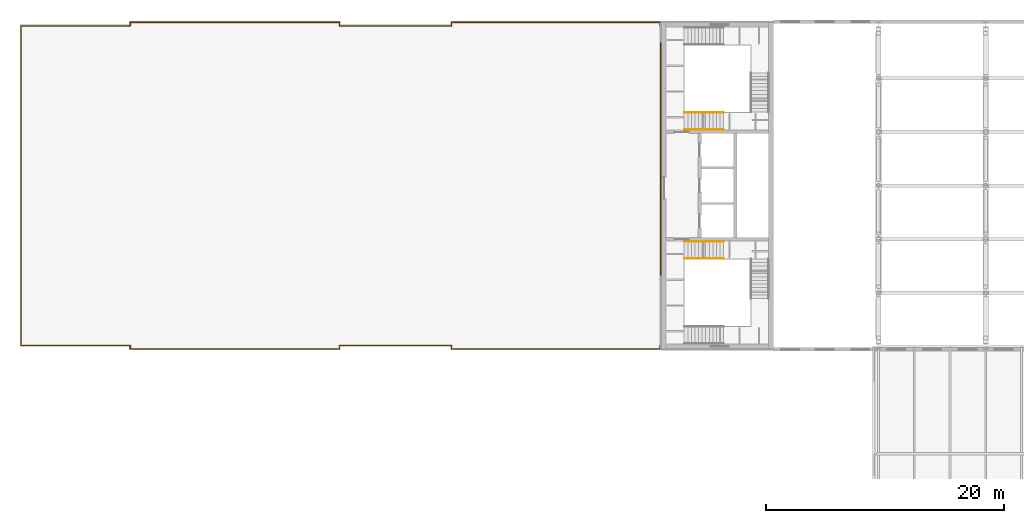
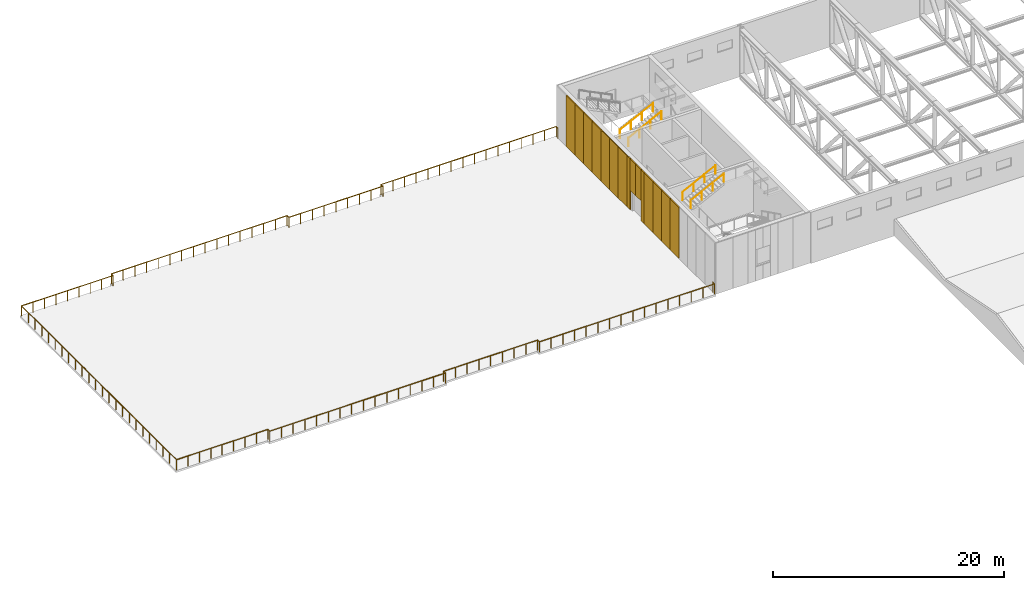
# One storey, part 26 of 29: 15 coverings, 5 railings.
"""IFC4 building model written with IfcOpenShell, lengths in metres."""

from ifc_helpers import new_model, si_unit, direction, frame, origin, origin_2d, place, context, subcontext, project, spatial, rectangle, circle, extrude, material, layer, layer_set, type_object, element, save


model = new_model("IFC4")

# Units and contexts
model_context = context("Model", 3, precision=1e-05, world=origin(), true_north=direction((0.0, 1.0)))
body_context = subcontext(model_context, "Body", "Model", "MODEL_VIEW")
ifc_project = project(units=[si_unit("LENGTHUNIT", "METRE"), si_unit("AREAUNIT", "SQUARE_METRE"), si_unit("VOLUMEUNIT", "CUBIC_METRE"), si_unit("PLANEANGLEUNIT", "RADIAN"), si_unit("MASSUNIT", "GRAM", prefix="KILO")], contexts=[model_context])

# Site, building, storey
site_placement = place(None, origin())
site = spatial("IfcSite", under=ifc_project, at=site_placement, CompositionType="ELEMENT")
building_placement = place(site_placement, origin())
building = spatial("IfcBuilding", under=site, at=building_placement, Name="Azimuth Sports and Learning Centre", CompositionType="ELEMENT")
storey_placement = place(building_placement, frame((0.0, 0.0, 27.0)))
storey = spatial("IfcBuildingStorey", under=building, at=storey_placement, Name="L05", CompositionType="ELEMENT", Elevation=27.0)

# Coverings
ifc_material_1 = material(Name="Cladding panel")
ifc_layer = layer(ifc_material_1, 0.10009765625)
ifc_layer_set = layer_set([ifc_layer], Name="Cladding panel")
covering_type = type_object("IfcCoveringType", Name="Cladding panel 100", PredefinedType="CLADDING", material=ifc_layer_set)
for number, where, z_axis, x_axis, name in (
    (1, (53.75, 114.75, 0.0), (0.0, 0.0, 1.0), (0.0, -1.0, 0.0), "Cladding panel W-CORE W L05 2"),
    (2, (53.75, 113.25, 0.0), (0.0, 0.0, 1.0), (0.0, -1.0, 0.0), "Cladding panel W-CORE W L05 3"),
    (3, (53.75, 111.75, 0.0), (0.0, 0.0, 1.0), (0.0, -1.0, 0.0), "Cladding panel W-CORE W L05 4"),
    (4, (53.75, 110.25, 0.0), (0.0, 0.0, 1.0), (0.0, -1.0, 0.0), "Cladding panel W-CORE W L05 5"),
    (5, (53.75, 108.75, 0.0), (0.0, 0.0, 1.0), (0.0, -1.0, 0.0), "Cladding panel W-CORE W L05 6"),
    (6, (53.75, 107.25, 0.0), (0.0, 0.0, 1.0), (0.0, -1.0, 0.0), "Cladding panel W-CORE W L05 7"),
    (7, (53.75, 105.75, 0.0), (0.0, 0.0, 1.0), (0.0, -1.0, 0.0), "Cladding panel W-CORE W L05 8"),
):
    element("IfcCovering", number, at=place(storey_placement, frame(where, z_axis=z_axis, x_axis=x_axis)), inside=storey, type_object=covering_type, Name=name, PredefinedType="CLADDING", context=body_context, shape_type="SweptSolid", body=[
        extrude(rectangle(XDim=1.5, YDim=0.10009765625, at=origin_2d()), origin(), (0.0, 0.0, 1.0), 5.39990234375),
    ])
covering_1_placement = place(storey_placement, frame((53.75, 103.97509765625, 2.10009765625), z_axis=(0.0, 0.0, 1.0), x_axis=(0.0, -1.0, 0.0)))
element("IfcCovering", 8, at=covering_1_placement, inside=storey, type_object=covering_type, Name="Cladding panel W-CORE W L05 9", PredefinedType="CLADDING", context=body_context, shape_type="SweptSolid", body=[
    extrude(rectangle(XDim=0.949951171875, YDim=0.10009765625, at=origin_2d()), origin(), (0.0, 0.0, 1.0), 3.300048828125),
])
covering_2_placement = place(storey_placement, frame((53.75, 104.72509765625, 0.0), z_axis=(0.0, 0.0, 1.0), x_axis=(0.0, -1.0, 0.0)))
element("IfcCovering", 9, at=covering_2_placement, inside=storey, type_object=covering_type, Name="Cladding panel W-CORE W L05 10", PredefinedType="CLADDING", context=body_context, shape_type="SweptSolid", body=[
    extrude(rectangle(XDim=0.550048828125, YDim=0.10009765625, at=origin_2d()), origin(), (0.0, 0.0, 1.0), 5.39990234375),
])
covering_3_placement = place(storey_placement, frame((53.75, 103.02490234375, 2.10009765625), z_axis=(0.0, 0.0, 1.0), x_axis=(0.0, -1.0, 0.0)))
element("IfcCovering", 10, at=covering_3_placement, inside=storey, type_object=covering_type, Name="Cladding panel W-CORE W L05 11", PredefinedType="CLADDING", context=body_context, shape_type="SweptSolid", body=[
    extrude(rectangle(XDim=0.949951171875, YDim=0.10009765625, at=origin_2d()), origin(), (0.0, 0.0, 1.0), 3.300048828125),
])
covering_4_placement = place(storey_placement, frame((53.75, 102.27490234375, 0.0), z_axis=(0.0, 0.0, 1.0), x_axis=(0.0, -1.0, 0.0)))
element("IfcCovering", 11, at=covering_4_placement, inside=storey, type_object=covering_type, Name="Cladding panel W-CORE W L05 12", PredefinedType="CLADDING", context=body_context, shape_type="SweptSolid", body=[
    extrude(rectangle(XDim=0.550048828125, YDim=0.10009765625, at=origin_2d()), origin(), (0.0, 0.0, 1.0), 5.39990234375),
])
for number, where, z_axis, x_axis, name in (
    (12, (53.75, 101.25, 0.0), (0.0, 0.0, 1.0), (0.0, -1.0, 0.0), "Cladding panel W-CORE W L05 13"),
    (13, (53.75, 99.75, 0.0), (0.0, 0.0, 1.0), (0.0, -1.0, 0.0), "Cladding panel W-CORE W L05 14"),
    (14, (53.75, 98.25, 0.0), (0.0, 0.0, 1.0), (0.0, -1.0, 0.0), "Cladding panel W-CORE W L05 15"),
    (15, (53.75, 96.75, 0.0), (0.0, 0.0, 1.0), (0.0, -1.0, 0.0), "Cladding panel W-CORE W L05 16"),
):
    element("IfcCovering", number, at=place(storey_placement, frame(where, z_axis=z_axis, x_axis=x_axis)), inside=storey, type_object=covering_type, Name=name, PredefinedType="CLADDING", context=body_context, shape_type="SweptSolid", body=[
        extrude(rectangle(XDim=1.5, YDim=0.10009765625, at=origin_2d()), origin(), (0.0, 0.0, 1.0), 5.39990234375),
    ])

# Railings
ifc_material_2 = material(Name="Stainless steel", Category="steel")
railing_type_1 = type_object("IfcRailingType", Name="Stair handrail 42", PredefinedType="HANDRAIL", material=ifc_material_2)
for number, where, name in (
    (16, (55.7099609375, 97.3701171875, 3.75), "Handrail W1 L05 flight 3 inner"),
    (17, (55.7099609375, 98.81005859375, 3.75), "Handrail W1 L05 flight 3 outer"),
    (18, (55.7099609375, 109.6298828125, 3.75), "Handrail W2 L05 flight 3 inner"),
    (19, (55.7099609375, 108.18994140625, 3.75), "Handrail W2 L05 flight 3 outer"),
):
    element("IfcRailing", number, at=place(storey_placement, frame(where)), inside=storey, type_object=railing_type_1, Name=name, PredefinedType="HANDRAIL", context=body_context, shape_type="SweptSolid", body=[
        extrude(circle(Radius=0.02099609375, at=origin_2d()), frame((0.0, 0.0, 0.87890625), z_axis=(0.894440424912, 0.0, 0.447187126696), x_axis=(0.0, 1.0, 0.0)), (0.0, 0.0, 1.0), 3.689453125),
        extrude(circle(Radius=0.01611328125, at=origin_2d()), origin(), (0.0, 0.0, 1.0), 0.85791015625),
        extrude(circle(Radius=0.01611328125, at=origin_2d()), frame((1.10009765625, 0.0, 0.550048828125)), (0.0, 0.0, 1.0), 0.85791015625),
        extrude(circle(Radius=0.01611328125, at=origin_2d()), frame((2.199951171875, 0.0, 1.099853515625)), (0.0, 0.0, 1.0), 0.85791015625),
        extrude(circle(Radius=0.01611328125, at=origin_2d()), frame((3.300048828125, 0.0, 1.64990234375)), (0.0, 0.0, 1.0), 0.85791015625),
    ])
ifc_material_3 = material(Name="Stainless steel", Category="steel")
railing_type_2 = type_object("IfcRailingType", Name="Terrace guard 1100", PredefinedType="GUARDRAIL", material=ifc_material_3)
railing_placement = place(storey_placement, frame((53.699951171875, 90.10009765625, 0.0)))
element("IfcRailing", 20, at=railing_placement, inside=storey, type_object=railing_type_2, Name="Terrace guard W", PredefinedType="GUARDRAIL", context=body_context, shape_type="SweptSolid", body=[
    extrude(circle(Radius=0.02490234375, at=origin_2d()), frame((0.0, 0.0, 1.0751953125), z_axis=(0.0, -1.0, 0.0), x_axis=(1.0, 0.0, 0.0)), (0.0, 0.0, 1.0), 0.300048828125),
    extrude(circle(Radius=0.02490234375, at=origin_2d()), frame((0.0, -0.300048828125, 1.0751953125), z_axis=(-1.0, 0.0, 0.0), x_axis=(0.0, -1.0, 0.0)), (0.0, 0.0, 1.0), 17.5),
    extrude(circle(Radius=0.02490234375, at=origin_2d()), frame((-17.5, -0.300048828125, 1.0751953125), z_axis=(0.0, 1.0, 0.0), x_axis=(-1.0, 0.0, 0.0)), (0.0, 0.0, 1.0), 0.300048828125),
    extrude(circle(Radius=0.02490234375, at=origin_2d()), frame((-17.5, 0.0, 1.0751953125), z_axis=(-1.0, 0.0, 0.0), x_axis=(0.0, -1.0, 0.0)), (0.0, 0.0, 1.0), 9.39990234375),
    extrude(circle(Radius=0.02490234375, at=origin_2d()), frame((-26.89990234375, 0.0, 1.0751953125), z_axis=(0.0, -1.0, 0.0), x_axis=(1.0, 0.0, 0.0)), (0.0, 0.0, 1.0), 0.300048828125),
    extrude(circle(Radius=0.02490234375, at=origin_2d()), frame((-26.89990234375, -0.300048828125, 1.0751953125), z_axis=(-1.0, 0.0, 0.0), x_axis=(0.0, -1.0, 0.0)), (0.0, 0.0, 1.0), 17.550048828125),
    extrude(circle(Radius=0.02490234375, at=origin_2d()), frame((-44.449951171875, -0.300048828125, 1.0751953125), z_axis=(0.0, 1.0, 0.0), x_axis=(-1.0, 0.0, 0.0)), (0.0, 0.0, 1.0), 0.300048828125),
    extrude(circle(Radius=0.02490234375, at=origin_2d()), frame((-44.449951171875, 0.0, 1.0751953125), z_axis=(-1.0, 0.0, 0.0), x_axis=(0.0, -1.0, 0.0)), (0.0, 0.0, 1.0), 9.14990234375),
    extrude(circle(Radius=0.02490234375, at=origin_2d()), frame((-53.599853515625, 0.0, 1.0751953125), z_axis=(0.0, 1.0, 0.0), x_axis=(-1.0, 0.0, 0.0)), (0.0, 0.0, 1.0), 26.7998046875),
    extrude(circle(Radius=0.02490234375, at=origin_2d()), frame((-53.599853515625, 26.7998046875, 1.0751953125), z_axis=(1.0, 0.0, 0.0), x_axis=(0.0, 1.0, 0.0)), (0.0, 0.0, 1.0), 9.14990234375),
    extrude(circle(Radius=0.02490234375, at=origin_2d()), frame((-44.449951171875, 26.7998046875, 1.0751953125), z_axis=(0.0, 1.0, 0.0), x_axis=(-1.0, 0.0, 0.0)), (0.0, 0.0, 1.0), 0.300048828125),
    extrude(circle(Radius=0.02490234375, at=origin_2d()), frame((-44.449951171875, 27.099853515625, 1.0751953125), z_axis=(1.0, 0.0, 0.0), x_axis=(0.0, 1.0, 0.0)), (0.0, 0.0, 1.0), 17.550048828125),
    extrude(circle(Radius=0.02490234375, at=origin_2d()), frame((-26.89990234375, 27.099853515625, 1.0751953125), z_axis=(0.0, -1.0, 0.0), x_axis=(1.0, 0.0, 0.0)), (0.0, 0.0, 1.0), 0.300048828125),
    extrude(circle(Radius=0.02490234375, at=origin_2d()), frame((-26.89990234375, 26.7998046875, 1.0751953125), z_axis=(1.0, 0.0, 0.0), x_axis=(0.0, 1.0, 0.0)), (0.0, 0.0, 1.0), 9.39990234375),
    extrude(circle(Radius=0.02490234375, at=origin_2d()), frame((-17.5, 26.7998046875, 1.0751953125), z_axis=(0.0, 1.0, 0.0), x_axis=(-1.0, 0.0, 0.0)), (0.0, 0.0, 1.0), 0.300048828125),
    extrude(circle(Radius=0.02490234375, at=origin_2d()), frame((-17.5, 27.099853515625, 1.0751953125), z_axis=(1.0, 0.0, 0.0), x_axis=(0.0, 1.0, 0.0)), (0.0, 0.0, 1.0), 17.5),
    extrude(circle(Radius=0.02490234375, at=origin_2d()), frame((0.0, 27.099853515625, 1.0751953125), z_axis=(0.0, -1.0, 0.0), x_axis=(1.0, 0.0, 0.0)), (0.0, 0.0, 1.0), 0.300048828125),
    extrude(circle(Radius=0.02001953125, at=origin_2d()), origin(), (0.0, 0.0, 1.0), 1.050048828125),
    extrude(circle(Radius=0.02001953125, at=origin_2d()), frame((0.0, -0.300048828125, 0.0)), (0.0, 0.0, 1.0), 1.050048828125),
    extrude(circle(Radius=0.02001953125, at=origin_2d()), frame((-1.166748046875, -0.300048828125, 0.0)), (0.0, 0.0, 1.0), 1.050048828125),
    extrude(circle(Radius=0.02001953125, at=origin_2d()), frame((-2.333251953125, -0.300048828125, 0.0)), (0.0, 0.0, 1.0), 1.050048828125),
    extrude(circle(Radius=0.02001953125, at=origin_2d()), frame((-3.5, -0.300048828125, 0.0)), (0.0, 0.0, 1.0), 1.050048828125),
    extrude(circle(Radius=0.02001953125, at=origin_2d()), frame((-4.666748046875, -0.300048828125, 0.0)), (0.0, 0.0, 1.0), 1.050048828125),
    extrude(circle(Radius=0.02001953125, at=origin_2d()), frame((-5.833251953125, -0.300048828125, 0.0)), (0.0, 0.0, 1.0), 1.050048828125),
    extrude(circle(Radius=0.02001953125, at=origin_2d()), frame((-7.0, -0.300048828125, 0.0)), (0.0, 0.0, 1.0), 1.050048828125),
    extrude(circle(Radius=0.02001953125, at=origin_2d()), frame((-8.166748046875, -0.300048828125, 0.0)), (0.0, 0.0, 1.0), 1.050048828125),
    extrude(circle(Radius=0.02001953125, at=origin_2d()), frame((-9.333251953125, -0.300048828125, 0.0)), (0.0, 0.0, 1.0), 1.050048828125),
    extrude(circle(Radius=0.02001953125, at=origin_2d()), frame((-10.5, -0.300048828125, 0.0)), (0.0, 0.0, 1.0), 1.050048828125),
    extrude(circle(Radius=0.02001953125, at=origin_2d()), frame((-11.666748046875, -0.300048828125, 0.0)), (0.0, 0.0, 1.0), 1.050048828125),
    extrude(circle(Radius=0.02001953125, at=origin_2d()), frame((-12.833251953125, -0.300048828125, 0.0)), (0.0, 0.0, 1.0), 1.050048828125),
    extrude(circle(Radius=0.02001953125, at=origin_2d()), frame((-14.0, -0.300048828125, 0.0)), (0.0, 0.0, 1.0), 1.050048828125),
    extrude(circle(Radius=0.02001953125, at=origin_2d()), frame((-15.166748046875, -0.300048828125, 0.0)), (0.0, 0.0, 1.0), 1.050048828125),
    extrude(circle(Radius=0.02001953125, at=origin_2d()), frame((-16.333251953125, -0.300048828125, 0.0)), (0.0, 0.0, 1.0), 1.050048828125),
    extrude(circle(Radius=0.02001953125, at=origin_2d()), frame((-17.5, -0.300048828125, 0.0)), (0.0, 0.0, 1.0), 1.050048828125),
    extrude(circle(Radius=0.02001953125, at=origin_2d()), frame((-17.5, 0.0, 0.0)), (0.0, 0.0, 1.0), 1.050048828125),
    extrude(circle(Radius=0.02001953125, at=origin_2d()), frame((-18.675048828125, 0.0, 0.0)), (0.0, 0.0, 1.0), 1.050048828125),
    extrude(circle(Radius=0.02001953125, at=origin_2d()), frame((-19.85009765625, 0.0, 0.0)), (0.0, 0.0, 1.0), 1.050048828125),
    extrude(circle(Radius=0.02001953125, at=origin_2d()), frame((-21.02490234375, 0.0, 0.0)), (0.0, 0.0, 1.0), 1.050048828125),
    extrude(circle(Radius=0.02001953125, at=origin_2d()), frame((-22.199951171875, 0.0, 0.0)), (0.0, 0.0, 1.0), 1.050048828125),
    extrude(circle(Radius=0.02001953125, at=origin_2d()), frame((-23.375, 0.0, 0.0)), (0.0, 0.0, 1.0), 1.050048828125),
    extrude(circle(Radius=0.02001953125, at=origin_2d()), frame((-24.5498046875, 0.0, 0.0)), (0.0, 0.0, 1.0), 1.050048828125),
    extrude(circle(Radius=0.02001953125, at=origin_2d()), frame((-25.724853515625, 0.0, 0.0)), (0.0, 0.0, 1.0), 1.050048828125),
    extrude(circle(Radius=0.02001953125, at=origin_2d()), frame((-26.89990234375, 0.0, 0.0)), (0.0, 0.0, 1.0), 1.050048828125),
    extrude(circle(Radius=0.02001953125, at=origin_2d()), frame((-26.89990234375, -0.300048828125, 0.0)), (0.0, 0.0, 1.0), 1.050048828125),
    extrude(circle(Radius=0.02001953125, at=origin_2d()), frame((-28.06982421875, -0.300048828125, 0.0)), (0.0, 0.0, 1.0), 1.050048828125),
    extrude(circle(Radius=0.02001953125, at=origin_2d()), frame((-29.239990234375, -0.300048828125, 0.0)), (0.0, 0.0, 1.0), 1.050048828125),
    extrude(circle(Radius=0.02001953125, at=origin_2d()), frame((-30.409912109375, -0.300048828125, 0.0)), (0.0, 0.0, 1.0), 1.050048828125),
    extrude(circle(Radius=0.02001953125, at=origin_2d()), frame((-31.579833984375, -0.300048828125, 0.0)), (0.0, 0.0, 1.0), 1.050048828125),
    extrude(circle(Radius=0.02001953125, at=origin_2d()), frame((-32.75, -0.300048828125, 0.0)), (0.0, 0.0, 1.0), 1.050048828125),
    extrude(circle(Radius=0.02001953125, at=origin_2d()), frame((-33.919921875, -0.300048828125, 0.0)), (0.0, 0.0, 1.0), 1.050048828125),
    extrude(circle(Radius=0.02001953125, at=origin_2d()), frame((-35.08984375, -0.300048828125, 0.0)), (0.0, 0.0, 1.0), 1.050048828125),
    extrude(circle(Radius=0.02001953125, at=origin_2d()), frame((-36.260009765625, -0.300048828125, 0.0)), (0.0, 0.0, 1.0), 1.050048828125),
    extrude(circle(Radius=0.02001953125, at=origin_2d()), frame((-37.429931640625, -0.300048828125, 0.0)), (0.0, 0.0, 1.0), 1.050048828125),
    extrude(circle(Radius=0.02001953125, at=origin_2d()), frame((-38.599853515625, -0.300048828125, 0.0)), (0.0, 0.0, 1.0), 1.050048828125),
    extrude(circle(Radius=0.02001953125, at=origin_2d()), frame((-39.77001953125, -0.300048828125, 0.0)), (0.0, 0.0, 1.0), 1.050048828125),
    extrude(circle(Radius=0.02001953125, at=origin_2d()), frame((-40.93994140625, -0.300048828125, 0.0)), (0.0, 0.0, 1.0), 1.050048828125),
    extrude(circle(Radius=0.02001953125, at=origin_2d()), frame((-42.10986328125, -0.300048828125, 0.0)), (0.0, 0.0, 1.0), 1.050048828125),
    extrude(circle(Radius=0.02001953125, at=origin_2d()), frame((-43.280029296875, -0.300048828125, 0.0)), (0.0, 0.0, 1.0), 1.050048828125),
    extrude(circle(Radius=0.02001953125, at=origin_2d()), frame((-44.449951171875, -0.300048828125, 0.0)), (0.0, 0.0, 1.0), 1.050048828125),
    extrude(circle(Radius=0.02001953125, at=origin_2d()), frame((-44.449951171875, 0.0, 0.0)), (0.0, 0.0, 1.0), 1.050048828125),
    extrude(circle(Radius=0.02001953125, at=origin_2d()), frame((-45.59375, 0.0, 0.0)), (0.0, 0.0, 1.0), 1.050048828125),
    extrude(circle(Radius=0.02001953125, at=origin_2d()), frame((-46.7373046875, 0.0, 0.0)), (0.0, 0.0, 1.0), 1.050048828125),
    extrude(circle(Radius=0.02001953125, at=origin_2d()), frame((-47.881103515625, 0.0, 0.0)), (0.0, 0.0, 1.0), 1.050048828125),
    extrude(circle(Radius=0.02001953125, at=origin_2d()), frame((-49.02490234375, 0.0, 0.0)), (0.0, 0.0, 1.0), 1.050048828125),
    extrude(circle(Radius=0.02001953125, at=origin_2d()), frame((-50.168701171875, 0.0, 0.0)), (0.0, 0.0, 1.0), 1.050048828125),
    extrude(circle(Radius=0.02001953125, at=origin_2d()), frame((-51.3125, 0.0, 0.0)), (0.0, 0.0, 1.0), 1.050048828125),
    extrude(circle(Radius=0.02001953125, at=origin_2d()), frame((-52.4560546875, 0.0, 0.0)), (0.0, 0.0, 1.0), 1.050048828125),
    extrude(circle(Radius=0.02001953125, at=origin_2d()), frame((-53.599853515625, 0.0, 0.0)), (0.0, 0.0, 1.0), 1.050048828125),
    extrude(circle(Radius=0.02001953125, at=origin_2d()), frame((-53.599853515625, 1.165283203125, 0.0)), (0.0, 0.0, 1.0), 1.050048828125),
    extrude(circle(Radius=0.02001953125, at=origin_2d()), frame((-53.599853515625, 2.330322265625, 0.0)), (0.0, 0.0, 1.0), 1.050048828125),
    extrude(circle(Radius=0.02001953125, at=origin_2d()), frame((-53.599853515625, 3.49560546875, 0.0)), (0.0, 0.0, 1.0), 1.050048828125),
    extrude(circle(Radius=0.02001953125, at=origin_2d()), frame((-53.599853515625, 4.660888671875, 0.0)), (0.0, 0.0, 1.0), 1.050048828125),
    extrude(circle(Radius=0.02001953125, at=origin_2d()), frame((-53.599853515625, 5.825927734375, 0.0)), (0.0, 0.0, 1.0), 1.050048828125),
    extrude(circle(Radius=0.02001953125, at=origin_2d()), frame((-53.599853515625, 6.9912109375, 0.0)), (0.0, 0.0, 1.0), 1.050048828125),
    extrude(circle(Radius=0.02001953125, at=origin_2d()), frame((-53.599853515625, 8.156494140625, 0.0)), (0.0, 0.0, 1.0), 1.050048828125),
    extrude(circle(Radius=0.02001953125, at=origin_2d()), frame((-53.599853515625, 9.32177734375, 0.0)), (0.0, 0.0, 1.0), 1.050048828125),
    extrude(circle(Radius=0.02001953125, at=origin_2d()), frame((-53.599853515625, 10.48681640625, 0.0)), (0.0, 0.0, 1.0), 1.050048828125),
    extrude(circle(Radius=0.02001953125, at=origin_2d()), frame((-53.599853515625, 11.652099609375, 0.0)), (0.0, 0.0, 1.0), 1.050048828125),
    extrude(circle(Radius=0.02001953125, at=origin_2d()), frame((-53.599853515625, 12.8173828125, 0.0)), (0.0, 0.0, 1.0), 1.050048828125),
    extrude(circle(Radius=0.02001953125, at=origin_2d()), frame((-53.599853515625, 13.982421875, 0.0)), (0.0, 0.0, 1.0), 1.050048828125),
    extrude(circle(Radius=0.02001953125, at=origin_2d()), frame((-53.599853515625, 15.147705078125, 0.0)), (0.0, 0.0, 1.0), 1.050048828125),
    extrude(circle(Radius=0.02001953125, at=origin_2d()), frame((-53.599853515625, 16.31298828125, 0.0)), (0.0, 0.0, 1.0), 1.050048828125),
    extrude(circle(Radius=0.02001953125, at=origin_2d()), frame((-53.599853515625, 17.47802734375, 0.0)), (0.0, 0.0, 1.0), 1.050048828125),
    extrude(circle(Radius=0.02001953125, at=origin_2d()), frame((-53.599853515625, 18.643310546875, 0.0)), (0.0, 0.0, 1.0), 1.050048828125),
    extrude(circle(Radius=0.02001953125, at=origin_2d()), frame((-53.599853515625, 19.80859375, 0.0)), (0.0, 0.0, 1.0), 1.050048828125),
    extrude(circle(Radius=0.02001953125, at=origin_2d()), frame((-53.599853515625, 20.973876953125, 0.0)), (0.0, 0.0, 1.0), 1.050048828125),
    extrude(circle(Radius=0.02001953125, at=origin_2d()), frame((-53.599853515625, 22.138916015625, 0.0)), (0.0, 0.0, 1.0), 1.050048828125),
    extrude(circle(Radius=0.02001953125, at=origin_2d()), frame((-53.599853515625, 23.30419921875, 0.0)), (0.0, 0.0, 1.0), 1.050048828125),
    extrude(circle(Radius=0.02001953125, at=origin_2d()), frame((-53.599853515625, 24.469482421875, 0.0)), (0.0, 0.0, 1.0), 1.050048828125),
    extrude(circle(Radius=0.02001953125, at=origin_2d()), frame((-53.599853515625, 25.634521484375, 0.0)), (0.0, 0.0, 1.0), 1.050048828125),
    extrude(circle(Radius=0.02001953125, at=origin_2d()), frame((-53.599853515625, 26.7998046875, 0.0)), (0.0, 0.0, 1.0), 1.050048828125),
    extrude(circle(Radius=0.02001953125, at=origin_2d()), frame((-52.4560546875, 26.7998046875, 0.0)), (0.0, 0.0, 1.0), 1.050048828125),
    extrude(circle(Radius=0.02001953125, at=origin_2d()), frame((-51.3125, 26.7998046875, 0.0)), (0.0, 0.0, 1.0), 1.050048828125),
    extrude(circle(Radius=0.02001953125, at=origin_2d()), frame((-50.168701171875, 26.7998046875, 0.0)), (0.0, 0.0, 1.0), 1.050048828125),
    extrude(circle(Radius=0.02001953125, at=origin_2d()), frame((-49.02490234375, 26.7998046875, 0.0)), (0.0, 0.0, 1.0), 1.050048828125),
    extrude(circle(Radius=0.02001953125, at=origin_2d()), frame((-47.881103515625, 26.7998046875, 0.0)), (0.0, 0.0, 1.0), 1.050048828125),
    extrude(circle(Radius=0.02001953125, at=origin_2d()), frame((-46.7373046875, 26.7998046875, 0.0)), (0.0, 0.0, 1.0), 1.050048828125),
    extrude(circle(Radius=0.02001953125, at=origin_2d()), frame((-45.59375, 26.7998046875, 0.0)), (0.0, 0.0, 1.0), 1.050048828125),
    extrude(circle(Radius=0.02001953125, at=origin_2d()), frame((-44.449951171875, 26.7998046875, 0.0)), (0.0, 0.0, 1.0), 1.050048828125),
    extrude(circle(Radius=0.02001953125, at=origin_2d()), frame((-44.449951171875, 27.099853515625, 0.0)), (0.0, 0.0, 1.0), 1.050048828125),
    extrude(circle(Radius=0.02001953125, at=origin_2d()), frame((-43.280029296875, 27.099853515625, 0.0)), (0.0, 0.0, 1.0), 1.050048828125),
    extrude(circle(Radius=0.02001953125, at=origin_2d()), frame((-42.10986328125, 27.099853515625, 0.0)), (0.0, 0.0, 1.0), 1.050048828125),
    extrude(circle(Radius=0.02001953125, at=origin_2d()), frame((-40.93994140625, 27.099853515625, 0.0)), (0.0, 0.0, 1.0), 1.050048828125),
    extrude(circle(Radius=0.02001953125, at=origin_2d()), frame((-39.77001953125, 27.099853515625, 0.0)), (0.0, 0.0, 1.0), 1.050048828125),
    extrude(circle(Radius=0.02001953125, at=origin_2d()), frame((-38.599853515625, 27.099853515625, 0.0)), (0.0, 0.0, 1.0), 1.050048828125),
    extrude(circle(Radius=0.02001953125, at=origin_2d()), frame((-37.429931640625, 27.099853515625, 0.0)), (0.0, 0.0, 1.0), 1.050048828125),
    extrude(circle(Radius=0.02001953125, at=origin_2d()), frame((-36.260009765625, 27.099853515625, 0.0)), (0.0, 0.0, 1.0), 1.050048828125),
    extrude(circle(Radius=0.02001953125, at=origin_2d()), frame((-35.08984375, 27.099853515625, 0.0)), (0.0, 0.0, 1.0), 1.050048828125),
    extrude(circle(Radius=0.02001953125, at=origin_2d()), frame((-33.919921875, 27.099853515625, 0.0)), (0.0, 0.0, 1.0), 1.050048828125),
    extrude(circle(Radius=0.02001953125, at=origin_2d()), frame((-32.75, 27.099853515625, 0.0)), (0.0, 0.0, 1.0), 1.050048828125),
    extrude(circle(Radius=0.02001953125, at=origin_2d()), frame((-31.579833984375, 27.099853515625, 0.0)), (0.0, 0.0, 1.0), 1.050048828125),
    extrude(circle(Radius=0.02001953125, at=origin_2d()), frame((-30.409912109375, 27.099853515625, 0.0)), (0.0, 0.0, 1.0), 1.050048828125),
    extrude(circle(Radius=0.02001953125, at=origin_2d()), frame((-29.239990234375, 27.099853515625, 0.0)), (0.0, 0.0, 1.0), 1.050048828125),
    extrude(circle(Radius=0.02001953125, at=origin_2d()), frame((-28.06982421875, 27.099853515625, 0.0)), (0.0, 0.0, 1.0), 1.050048828125),
    extrude(circle(Radius=0.02001953125, at=origin_2d()), frame((-26.89990234375, 27.099853515625, 0.0)), (0.0, 0.0, 1.0), 1.050048828125),
    extrude(circle(Radius=0.02001953125, at=origin_2d()), frame((-26.89990234375, 26.7998046875, 0.0)), (0.0, 0.0, 1.0), 1.050048828125),
    extrude(circle(Radius=0.02001953125, at=origin_2d()), frame((-25.724853515625, 26.7998046875, 0.0)), (0.0, 0.0, 1.0), 1.050048828125),
    extrude(circle(Radius=0.02001953125, at=origin_2d()), frame((-24.5498046875, 26.7998046875, 0.0)), (0.0, 0.0, 1.0), 1.050048828125),
    extrude(circle(Radius=0.02001953125, at=origin_2d()), frame((-23.375, 26.7998046875, 0.0)), (0.0, 0.0, 1.0), 1.050048828125),
    extrude(circle(Radius=0.02001953125, at=origin_2d()), frame((-22.199951171875, 26.7998046875, 0.0)), (0.0, 0.0, 1.0), 1.050048828125),
    extrude(circle(Radius=0.02001953125, at=origin_2d()), frame((-21.02490234375, 26.7998046875, 0.0)), (0.0, 0.0, 1.0), 1.050048828125),
    extrude(circle(Radius=0.02001953125, at=origin_2d()), frame((-19.85009765625, 26.7998046875, 0.0)), (0.0, 0.0, 1.0), 1.050048828125),
    extrude(circle(Radius=0.02001953125, at=origin_2d()), frame((-18.675048828125, 26.7998046875, 0.0)), (0.0, 0.0, 1.0), 1.050048828125),
    extrude(circle(Radius=0.02001953125, at=origin_2d()), frame((-17.5, 26.7998046875, 0.0)), (0.0, 0.0, 1.0), 1.050048828125),
    extrude(circle(Radius=0.02001953125, at=origin_2d()), frame((-17.5, 27.099853515625, 0.0)), (0.0, 0.0, 1.0), 1.050048828125),
    extrude(circle(Radius=0.02001953125, at=origin_2d()), frame((-16.333251953125, 27.099853515625, 0.0)), (0.0, 0.0, 1.0), 1.050048828125),
    extrude(circle(Radius=0.02001953125, at=origin_2d()), frame((-15.166748046875, 27.099853515625, 0.0)), (0.0, 0.0, 1.0), 1.050048828125),
    extrude(circle(Radius=0.02001953125, at=origin_2d()), frame((-14.0, 27.099853515625, 0.0)), (0.0, 0.0, 1.0), 1.050048828125),
    extrude(circle(Radius=0.02001953125, at=origin_2d()), frame((-12.833251953125, 27.099853515625, 0.0)), (0.0, 0.0, 1.0), 1.050048828125),
    extrude(circle(Radius=0.02001953125, at=origin_2d()), frame((-11.666748046875, 27.099853515625, 0.0)), (0.0, 0.0, 1.0), 1.050048828125),
    extrude(circle(Radius=0.02001953125, at=origin_2d()), frame((-10.5, 27.099853515625, 0.0)), (0.0, 0.0, 1.0), 1.050048828125),
    extrude(circle(Radius=0.02001953125, at=origin_2d()), frame((-9.333251953125, 27.099853515625, 0.0)), (0.0, 0.0, 1.0), 1.050048828125),
    extrude(circle(Radius=0.02001953125, at=origin_2d()), frame((-8.166748046875, 27.099853515625, 0.0)), (0.0, 0.0, 1.0), 1.050048828125),
    extrude(circle(Radius=0.02001953125, at=origin_2d()), frame((-7.0, 27.099853515625, 0.0)), (0.0, 0.0, 1.0), 1.050048828125),
    extrude(circle(Radius=0.02001953125, at=origin_2d()), frame((-5.833251953125, 27.099853515625, 0.0)), (0.0, 0.0, 1.0), 1.050048828125),
    extrude(circle(Radius=0.02001953125, at=origin_2d()), frame((-4.666748046875, 27.099853515625, 0.0)), (0.0, 0.0, 1.0), 1.050048828125),
    extrude(circle(Radius=0.02001953125, at=origin_2d()), frame((-3.5, 27.099853515625, 0.0)), (0.0, 0.0, 1.0), 1.050048828125),
    extrude(circle(Radius=0.02001953125, at=origin_2d()), frame((-2.333251953125, 27.099853515625, 0.0)), (0.0, 0.0, 1.0), 1.050048828125),
    extrude(circle(Radius=0.02001953125, at=origin_2d()), frame((-1.166748046875, 27.099853515625, 0.0)), (0.0, 0.0, 1.0), 1.050048828125),
    extrude(circle(Radius=0.02001953125, at=origin_2d()), frame((0.0, 27.099853515625, 0.0)), (0.0, 0.0, 1.0), 1.050048828125),
    extrude(circle(Radius=0.02001953125, at=origin_2d()), frame((0.0, 26.7998046875, 0.0)), (0.0, 0.0, 1.0), 1.050048828125),
])

save(model, "model.ifc")
